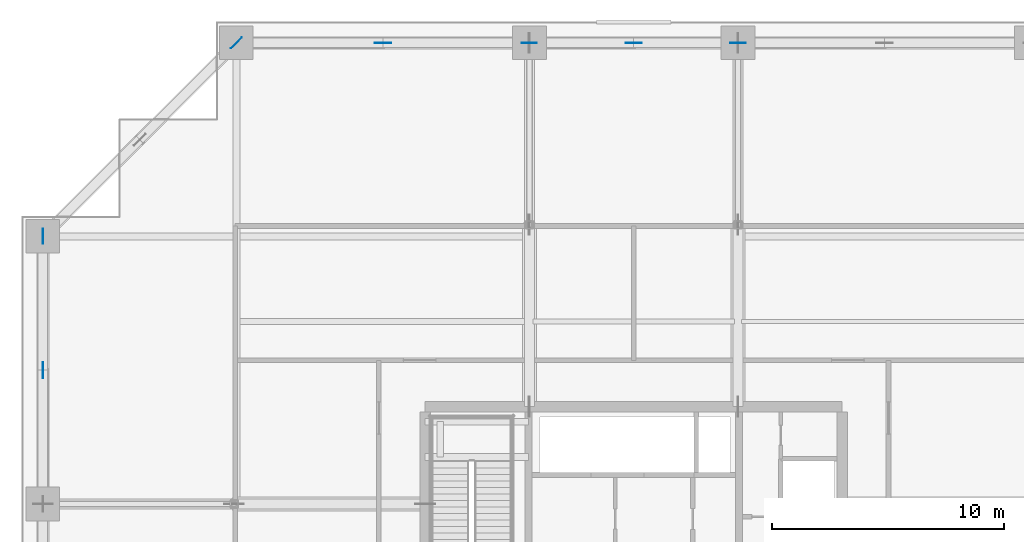
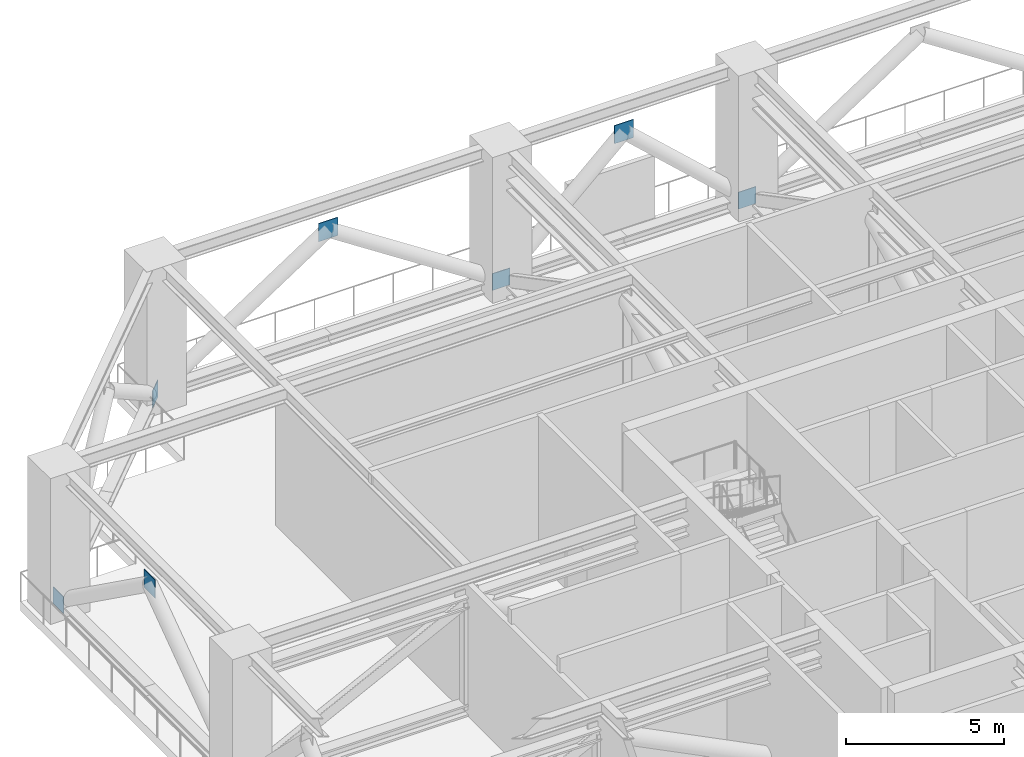
# One storey, part 12 of 21: 7 plates.
"""IFC4 building model written with IfcOpenShell, lengths in metres."""

from ifc_helpers import new_model, si_unit, direction, frame, origin, origin_2d, place, context, subcontext, project, spatial, rectangle, extrude, source, transform, mapped, material, layer, layer_set, type_object, element, save


model = new_model("IFC4")

# Units and contexts
model_context = context("Model", 3, precision=1e-05, world=origin(), true_north=direction((0.0, 1.0)))
body_context = subcontext(model_context, "Body", "Model", "MODEL_VIEW")
ifc_project = project(units=[si_unit("LENGTHUNIT", "METRE"), si_unit("AREAUNIT", "SQUARE_METRE"), si_unit("VOLUMEUNIT", "CUBIC_METRE"), si_unit("PLANEANGLEUNIT", "RADIAN"), si_unit("MASSUNIT", "GRAM", prefix="KILO")], contexts=[model_context])

# Site, building, storey
site_placement = place(None, origin())
site = spatial("IfcSite", under=ifc_project, at=site_placement, CompositionType="ELEMENT")
building_placement = place(site_placement, origin())
building = spatial("IfcBuilding", under=site, at=building_placement, Name="Serunith Strait Residences", CompositionType="ELEMENT")
storey_placement = place(building_placement, frame((0.0, 0.0, 109.199951171875)))
storey = spatial("IfcBuildingStorey", under=building, at=storey_placement, Name="L27", CompositionType="ELEMENT", Elevation=109.199951171875)

# Plates
ifc_material = material(Name="Steel S460M", Category="steel")
ifc_layer = layer(ifc_material, 0.02490234375, Name="Steel S460M")
ifc_layer_set = layer_set([ifc_layer], Name="Steel S460M")
plate_type = type_object("IfcPlateType", Name="PLT-CAP-25", PredefinedType="SHEET", material=ifc_layer_set)
shared_shape_1 = source(origin(), body_context, "Body", "SweptSolid", [
    extrude(rectangle(XDim=0.699951171875, YDim=0.02490234375, at=origin_2d()), origin(), (0.0, 0.0, 1.0), 0.699951171875),
])
for number, where, z_axis, x_axis, name in (
    (1, (32.39990234375, 49.300048828125, 4.0400390625), (0.0, 0.0, 1.0), (-1.0, 0.0, 0.0), "L27 Belt Truss Apex Gusset 10"),
    (2, (21.574951171875, 49.300048828125, 4.0400390625), (0.0, 0.0, 1.0), (-1.0, 0.0, 0.0), "L27 Belt Truss Apex Gusset 11"),
    (3, (6.89990234375, 35.175048828125, 4.0400390625), (0.0, 0.0, 1.0), (0.0, -1.0, 0.0), "L27 Belt Truss Apex Gusset 13"),
):
    element("IfcPlate", number, at=place(storey_placement, frame(where, z_axis=z_axis, x_axis=x_axis)), inside=storey, type_object=plate_type, Name=name, PredefinedType="SHEET", context=body_context, shape_type="MappedRepresentation", body=[
        mapped(shared_shape_1, transform((0.0, 0.0, 0.0), scale=1.0)),
    ])
shared_shape_2 = source(origin(), body_context, "Body", "SweptSolid", [
    extrude(rectangle(XDim=0.64990234375, YDim=0.02490234375, at=origin_2d()), origin(), (0.0, 0.0, 1.0), 0.64990234375),
])
for number, where, z_axis, x_axis, name in (
    (4, (36.89990234375, 49.300048828125, -0.074951171875), (0.0, 0.0, 1.0), (-1.0, 0.0, 0.0), "L27 Belt Truss Column Node Plate 10"),
    (5, (27.89990234375, 49.300048828125, -0.074951171875), (0.0, 0.0, 1.0), (-1.0, 0.0, 0.0), "L27 Belt Truss Column Node Plate 11"),
    (6, (15.25, 49.300048828125, -0.074951171875), (0.0, 0.0, 1.0), (-0.707106781187, -0.707106781187, 0.0), "L27 Belt Truss Column Node Plate 12"),
    (7, (6.89990234375, 40.949951171875, -0.074951171875), (0.0, 0.0, 1.0), (0.0, -1.0, 0.0), "L27 Belt Truss Column Node Plate 13"),
):
    element("IfcPlate", number, at=place(storey_placement, frame(where, z_axis=z_axis, x_axis=x_axis)), inside=storey, type_object=plate_type, Name=name, PredefinedType="SHEET", context=body_context, shape_type="MappedRepresentation", body=[
        mapped(shared_shape_2, transform((0.0, 0.0, 0.0), scale=1.0)),
    ])

save(model, "model.ifc")
